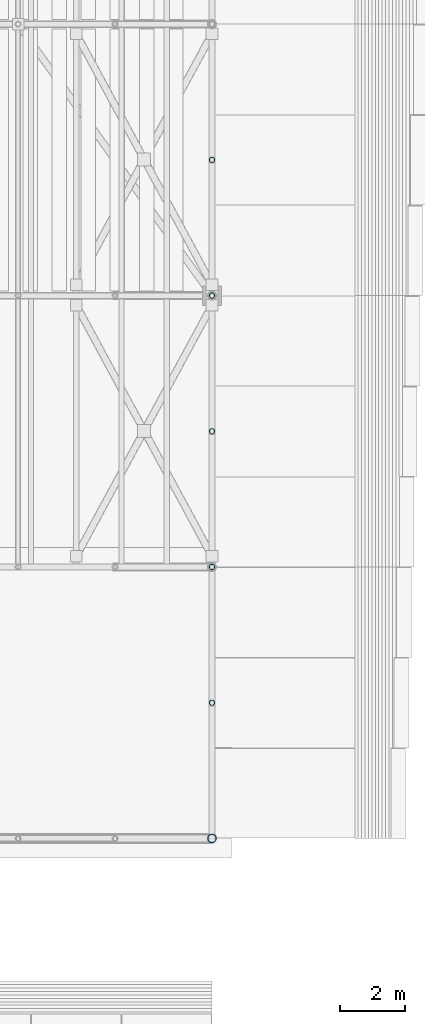
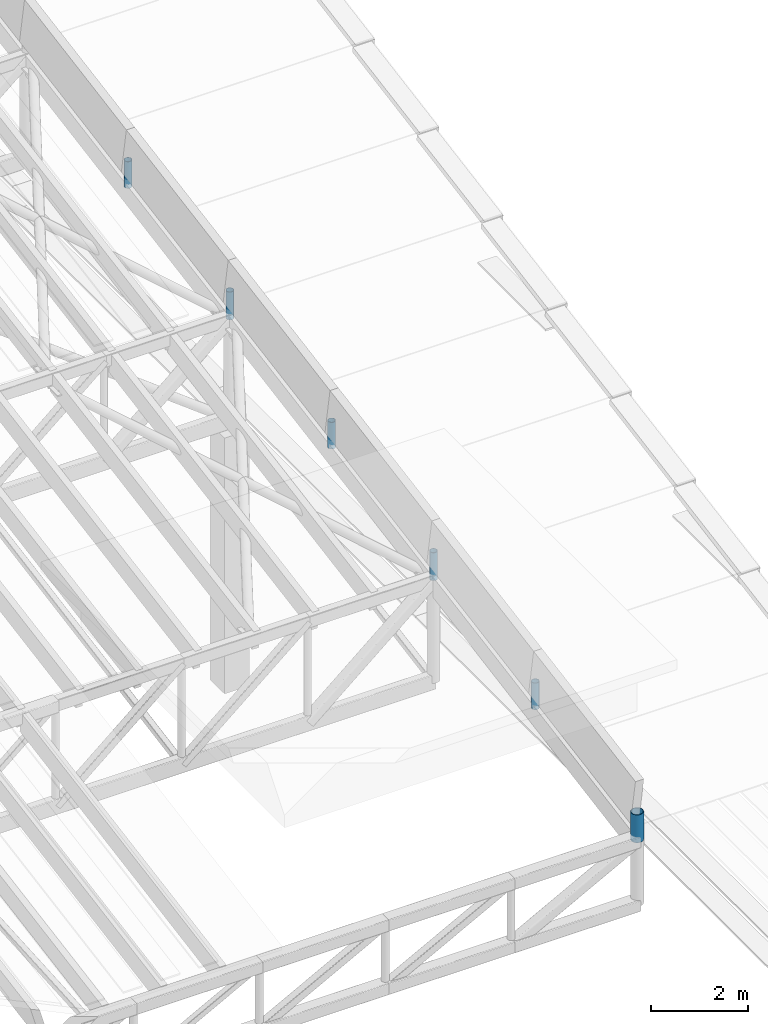
# One storey, part 55 of 91: 6 members.
"""IFC4 building model written with IfcOpenShell, lengths in metres."""

from ifc_helpers import new_model, si_unit, direction, frame, origin, origin_2d, place, context, subcontext, project, spatial, hollow_circle, extrude, material, material_profile, profile_set, type_object, element, save


model = new_model("IFC4")

# Units and contexts
model_context = context("Model", 3, precision=1e-05, world=origin(), true_north=direction((0.0, 1.0)))
body_context = subcontext(model_context, "Body", "Model", "MODEL_VIEW")
ifc_project = project(units=[si_unit("LENGTHUNIT", "METRE"), si_unit("AREAUNIT", "SQUARE_METRE"), si_unit("VOLUMEUNIT", "CUBIC_METRE"), si_unit("PLANEANGLEUNIT", "RADIAN"), si_unit("MASSUNIT", "GRAM", prefix="KILO")], contexts=[model_context])

# Site, building, storey
site_placement = place(None, origin())
site = spatial("IfcSite", under=ifc_project, at=site_placement, CompositionType="ELEMENT")
building_placement = place(site_placement, origin())
building = spatial("IfcBuilding", under=site, at=building_placement, Name="Almond Square Museum", CompositionType="ELEMENT")
storey_placement = place(building_placement, frame((0.0, 0.0, 30.0)))
storey = spatial("IfcBuildingStorey", under=building, at=storey_placement, Name="L05", CompositionType="ELEMENT", Elevation=30.0)

# Members
ifc_material_1 = material(Name="Structural steel S355", Category="steel")
ifc_material_profile_1 = material_profile(ifc_material_1, hollow_circle(Radius=0.084228515625, WallThickness=0.008056640625, at=origin_2d()))
ifc_profile_set_1 = profile_set([ifc_material_profile_1], Name="Structural steel S355")
member_type_1 = type_object("IfcMemberType", Name="Fascia post CHS 168.3x8", PredefinedType="POST", material=ifc_profile_set_1)
for number, where, z_axis, x_axis, name in (
    (1, (148.800048828125, 58.800048828125, 7.718505859375), (0.0, 0.0, 1.0), (1.0, 0.0, 0.0), "Rake fascia post E 2"),
    (2, (148.800048828125, 67.199951171875, 9.1884765625), (0.0, 0.0, 1.0), (1.0, 0.0, 0.0), "Rake fascia post E 3"),
):
    element("IfcMember", number, at=place(storey_placement, frame(where, z_axis=z_axis, x_axis=x_axis)), inside=storey, type_object=member_type_1, Name=name, PredefinedType="POST", context=body_context, shape_type="SweptSolid", body=[
        extrude(hollow_circle(Radius=0.084228515625, WallThickness=0.008056640625, at=origin_2d()), origin(), (0.0, 0.0, 1.0), 0.701416015625),
    ])
for number, where, z_axis, x_axis, name in (
    (3, (148.800048828125, 54.60009765625, 7.013427734375), (0.0, 0.0, 1.0), (1.0, 0.0, 0.0), "Rake fascia post E bay 1"),
    (4, (148.800048828125, 63.0, 8.4833984375), (0.0, 0.0, 1.0), (1.0, 0.0, 0.0), "Rake fascia post E bay 2"),
):
    element("IfcMember", number, at=place(storey_placement, frame(where, z_axis=z_axis, x_axis=x_axis)), inside=storey, type_object=member_type_1, Name=name, PredefinedType="POST", context=body_context, shape_type="SweptSolid", body=[
        extrude(hollow_circle(Radius=0.084228515625, WallThickness=0.008056640625, at=origin_2d()), origin(), (0.0, 0.0, 1.0), 0.671630859375),
    ])
member_1_placement = place(storey_placement, frame((148.800048828125, 71.39990234375, 9.95361328125), z_axis=(0.0, 0.0, 1.0), x_axis=(1.0, 0.0, 0.0)))
element("IfcMember", 5, at=member_1_placement, inside=storey, type_object=member_type_1, Name="Rake fascia post E bay 3", PredefinedType="POST", context=body_context, shape_type="SweptSolid", body=[
    extrude(hollow_circle(Radius=0.084228515625, WallThickness=0.008056640625, at=origin_2d()), origin(), (0.0, 0.0, 1.0), 0.67138671875),
])
ifc_material_2 = material(Name="Structural steel S355", Category="steel")
ifc_material_profile_2 = material_profile(ifc_material_2, hollow_circle(Radius=0.136474609375, WallThickness=0.012451171875, at=origin_2d()))
ifc_profile_set_2 = profile_set([ifc_material_profile_2], Name="Structural steel S355")
member_type_2 = type_object("IfcMemberType", Name="Fascia post CHS 273x12.5", PredefinedType="POST", material=ifc_profile_set_2)
member_2_placement = place(storey_placement, frame((148.800048828125, 50.39990234375, 6.24853515625), z_axis=(0.0, 0.0, 1.0), x_axis=(1.0, 0.0, 0.0)))
element("IfcMember", 6, at=member_2_placement, inside=storey, type_object=member_type_2, Name="Rake fascia post E 1", PredefinedType="POST", context=body_context, shape_type="SweptSolid", body=[
    extrude(hollow_circle(Radius=0.136474609375, WallThickness=0.012451171875, at=origin_2d()), origin(), (0.0, 0.0, 1.0), 0.701416015625),
])

save(model, "model.ifc")
